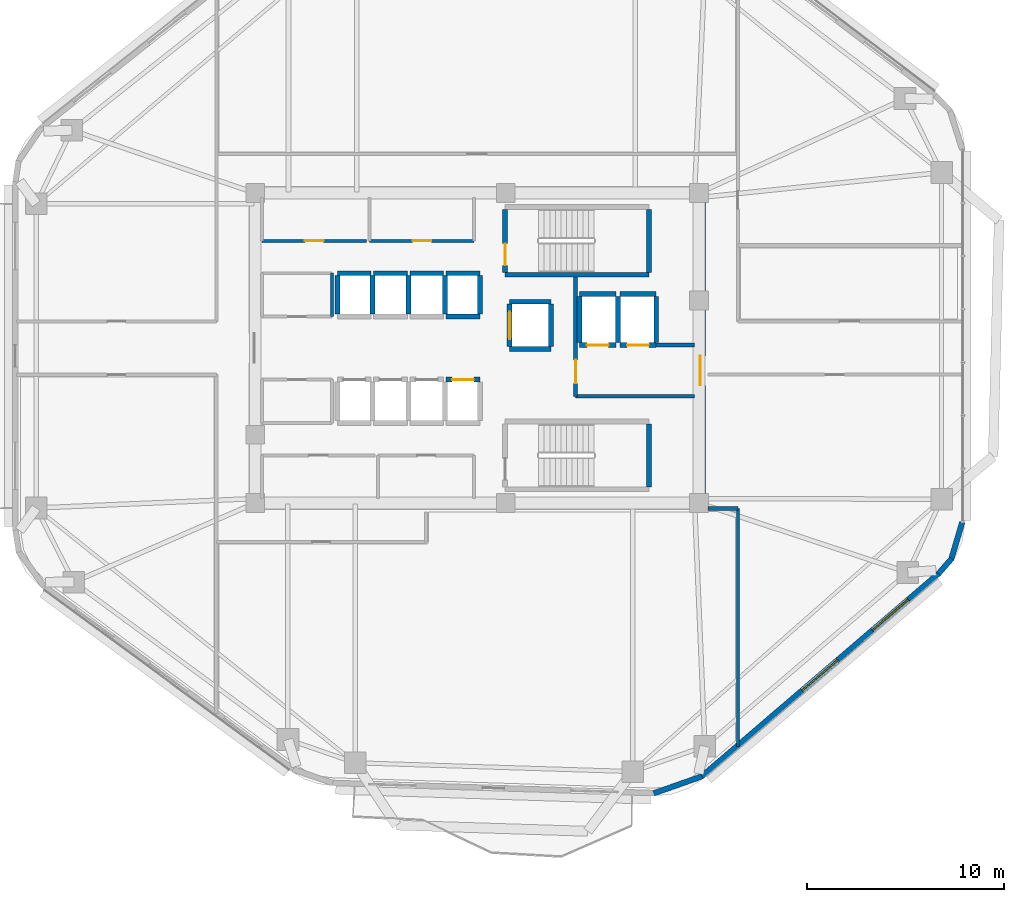
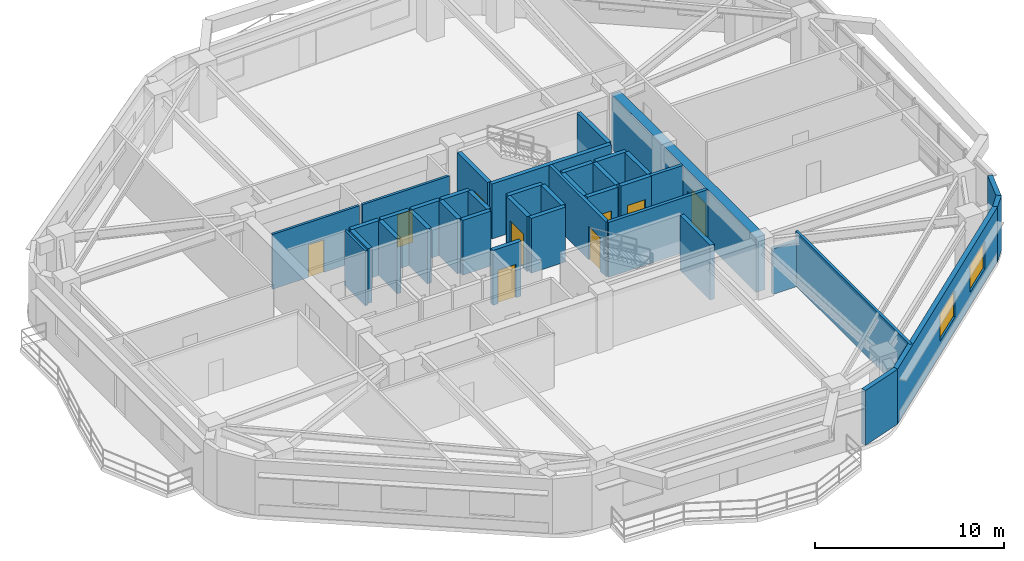
# One storey, part 9 of 13: 39 walls, 9 doors, 2 windows, 11 openings.
"""IFC4 building model written with IfcOpenShell, lengths in metres."""

from ifc_helpers import new_model, si_unit, direction, frame, frame_2d, origin, place, context, subcontext, project, spatial, rectangle, extrude, material, layer, layer_set, type_object, element, fill, save


model = new_model("IFC4")

# Units and contexts
model_context = context("Model", 3, precision=1e-05, world=origin(), true_north=direction((0.0, 1.0)))
body_context = subcontext(model_context, "Body", "Model", "MODEL_VIEW")
ifc_project = project(units=[si_unit("LENGTHUNIT", "METRE"), si_unit("AREAUNIT", "SQUARE_METRE"), si_unit("VOLUMEUNIT", "CUBIC_METRE"), si_unit("PLANEANGLEUNIT", "RADIAN"), si_unit("MASSUNIT", "GRAM", prefix="KILO")], contexts=[model_context])

# Site, building, storey
site_placement = place(None, origin())
site = spatial("IfcSite", under=ifc_project, at=site_placement, CompositionType="ELEMENT")
building_placement = place(site_placement, origin())
building = spatial("IfcBuilding", under=site, at=building_placement, Name="Zulverin Broadcast Headquarters", CompositionType="ELEMENT")
storey_placement = place(building_placement, frame((0.0, 0.0, 155.39990234375)))
storey = spatial("IfcBuildingStorey", under=building, at=storey_placement, Name="L39", CompositionType="ELEMENT", Elevation=155.39990234375)

# Wall
ifc_material_1 = material(Name="Double-stud acoustic drywall", Category="gypsum")
ifc_layer_1 = layer(ifc_material_1, 0.219970703125, Name="Double-stud acoustic drywall", Category="gypsum")
ifc_layer_set_1 = layer_set([ifc_layer_1], Name="Double-stud acoustic drywall")
wall_type_1 = type_object("IfcWallType", Name="WL-ACOU-220", PredefinedType="PARTITIONING", material=ifc_layer_set_1)
wall_1_placement = place(storey_placement, frame((48.739990234375, 17.050048828125, 0.0), z_axis=(0.0, 0.0, 1.0), x_axis=(1.0, 0.0, 0.0)))
element("IfcWall", 1, at=wall_1_placement, inside=storey, type_object=wall_type_1, Name="L39 Room Partition Wall RP-07", PredefinedType="PARTITIONING", context=body_context, shape_type="SweptSolid", body=[
    extrude(rectangle(XDim=1.510009765625, YDim=0.219970703125, at=frame_2d((0.7548828125, 0.0))), origin(), (0.0, 0.0, 1.0), 2.9228515625),
])

# Wall, opening, door
ifc_material_2 = material(Name="Concrete C60/75", Category="concrete")
ifc_layer_2 = layer(ifc_material_2, 0.550048828125, Name="Concrete C60/75", Category="concrete")
ifc_layer_set_2 = layer_set([ifc_layer_2], Name="Concrete C60/75")
wall_type_2 = type_object("IfcWallType", Name="WL-CORE-550", PredefinedType="SHEAR", material=ifc_layer_set_2)
wall_2_placement = place(storey_placement, frame((48.324951171875, 17.550048828125, 0.0), z_axis=(0.0, 0.0, 1.0), x_axis=(0.0, 1.0, 0.0)))
wall_2 = element("IfcWall", 2, at=wall_2_placement, inside=storey, type_object=wall_type_2, Name="L39 Core East Shear Wall", PredefinedType="SHEAR", context=body_context, shape_type="SweptSolid", body=[
    extrude(rectangle(XDim=15.300048828125, YDim=0.550048828125, at=frame_2d((7.64990234375, 0.0))), origin(), (0.0, 0.0, 1.0), 3.5400390625),
])
opening_1_placement = place(wall_2_placement, frame((5.75, 0.0, 0.0)))
opening_1 = element("IfcOpeningElement", 3, at=opening_1_placement, cuts=wall_2, Name="Opening D-L39-CE1", PredefinedType="OPENING", context=body_context, shape_type="SweptSolid", body=[
    extrude(rectangle(XDim=1.5, YDim=2.14990234375, at=frame_2d((0.75, 1.074951171875))), frame((0.0, 0.284912109375, 0.0), z_axis=(0.0, -1.0, 0.0), x_axis=(1.0, 0.0, 0.0)), (0.0, 0.0, 1.0), 0.570068359375),
])
ifc_material_3 = material(Name="Fire-rated glazed steel frame", Category="steel")
door_type_1 = type_object("IfcDoorType", Name="DR-COR-1500", OperationType="DOUBLE_DOOR_SINGLE_SWING", PredefinedType="DOOR", material=ifc_material_3)
door_1_placement = place(opening_1_placement, origin())
door_1 = element("IfcDoor", 4, at=door_1_placement, inside=storey, type_object=door_type_1, Name="L39 Firefighting Lobby East Corridor Door", OperationType="DOUBLE_DOOR_SINGLE_SWING", OverallHeight=2.14990234375, OverallWidth=1.5, PredefinedType="DOOR", context=body_context, shape_type="SweptSolid", body=[
    extrude(rectangle(XDim=1.5, YDim=2.14990234375, at=frame_2d((0.75, 1.074951171875))), frame((0.0, 0.02490234375, 0.0), z_axis=(0.0, -1.0, 0.0), x_axis=(1.0, 0.0, 0.0)), (0.0, 0.0, 1.0), 0.050048828125),
])
fill(opening_1, door_1)

# Wall, openings, windows
ifc_material_4 = material(Name="Insulated pale-metal clad concrete spandrel C40/50", Category="concrete")
ifc_layer_3 = layer(ifc_material_4, 0.280029296875, Name="Insulated pale-metal clad concrete spandrel C40/50", Category="concrete")
ifc_layer_set_3 = layer_set([ifc_layer_3], Name="Insulated pale-metal clad concrete spandrel C40/50")
wall_type_3 = type_object("IfcWallType", Name="WL-EXT-280", PredefinedType="STANDARD", material=ifc_layer_set_3)
wall_3_placement = place(storey_placement, frame((48.38525390625, 3.413818359375, 0.0), z_axis=(0.0, 0.0, 1.0), x_axis=(0.759700260779, 0.650273414628, 0.0)))
wall_3 = element("IfcWall", 5, at=wall_3_placement, inside=storey, type_object=wall_type_3, Name="L39 Pale-Metal Clad Spandrel Wall 2", PredefinedType="STANDARD", context=body_context, shape_type="SweptSolid", body=[
    extrude(rectangle(XDim=15.880859375, YDim=0.280029296875, at=frame_2d((7.9404296875, 0.0))), origin(), (0.0, 0.0, 1.0), 3.5400390625),
])
opening_2_placement = place(wall_3_placement, frame((6.740478515625, 0.0, 0.89990234375)))
opening_2 = element("IfcOpeningElement", 6, at=opening_2_placement, cuts=wall_3, Name="Opening W-L39-E21", PredefinedType="OPENING", context=body_context, shape_type="SweptSolid", body=[
    extrude(rectangle(XDim=2.39990234375, YDim=1.75, at=frame_2d((1.199951171875, 0.875))), frame((0.0, 0.14990234375, 0.0), z_axis=(0.0, -1.0, 0.0), x_axis=(1.0, 0.0, 0.0)), (0.0, 0.0, 1.0), 0.300048828125),
])
opening_3_placement = place(wall_3_placement, frame((11.45068359375, 0.0, 0.89990234375)))
opening_3 = element("IfcOpeningElement", 7, at=opening_3_placement, cuts=wall_3, Name="Opening W-L39-E22", PredefinedType="OPENING", context=body_context, shape_type="SweptSolid", body=[
    extrude(rectangle(XDim=2.39990234375, YDim=1.75, at=frame_2d((1.199951171875, 0.875))), frame((0.0, 0.14990234375, 0.0), z_axis=(0.0, -1.0, 0.0), x_axis=(1.0, 0.0, 0.0)), (0.0, 0.0, 1.0), 0.300048828125),
])
ifc_material_5 = material(Name="Pale anodized aluminium frame with solar-control low-E double glazing", Category="aluminium")
window_type = type_object("IfcWindowType", Name="WIN-RIB-2400", PartitioningType="SINGLE_PANEL", PredefinedType="WINDOW", material=ifc_material_5)
window_1_placement = place(opening_2_placement, origin())
window_1 = element("IfcWindow", 8, at=window_1_placement, inside=storey, type_object=window_type, Name="L39 Ribbon Glazing Window 2 1", OverallHeight=1.75, OverallWidth=2.39990234375, PartitioningType="SINGLE_PANEL", PredefinedType="WINDOW", context=body_context, shape_type="SweptSolid", body=[
    extrude(rectangle(XDim=2.39990234375, YDim=1.75, at=frame_2d((1.199951171875, 0.875))), frame((0.0, 0.030029296875, 0.0), z_axis=(0.0, -1.0, 0.0), x_axis=(1.0, 0.0, 0.0)), (0.0, 0.0, 1.0), 0.06005859375),
])
fill(opening_2, window_1)
window_2_placement = place(opening_3_placement, origin())
window_2 = element("IfcWindow", 9, at=window_2_placement, inside=storey, type_object=window_type, Name="L39 Ribbon Glazing Window 2 2", OverallHeight=1.75, OverallWidth=2.39990234375, PartitioningType="SINGLE_PANEL", PredefinedType="WINDOW", context=body_context, shape_type="SweptSolid", body=[
    extrude(rectangle(XDim=2.39990234375, YDim=1.75, at=frame_2d((1.199951171875, 0.875))), frame((0.0, 0.030029296875, 0.0), z_axis=(0.0, -1.0, 0.0), x_axis=(1.0, 0.0, 0.0)), (0.0, 0.0, 1.0), 0.06005859375),
])
fill(opening_3, window_2)

# Walls
wall_4_placement = place(storey_placement, frame((45.974609375, 2.576416015625, 0.0), z_axis=(0.0, 0.0, 1.0), x_axis=(0.943377643365, 0.331720698781, 0.0)))
element("IfcWall", 10, at=wall_4_placement, inside=storey, type_object=wall_type_3, Name="L39 Wind-Shaped Corner Spandrel Wall 1-1", PredefinedType="STANDARD", context=body_context, shape_type="SweptSolid", body=[
    extrude(rectangle(XDim=2.6025390625, YDim=0.280029296875, at=frame_2d((1.30126953125, 0.0))), origin(), (0.0, 0.0, 1.0), 3.5400390625),
])
wall_5_placement = place(storey_placement, frame((60.435791015625, 13.7265625, 0.0), z_axis=(0.0, 0.0, 1.0), x_axis=(0.658571618609, 0.752518055041, 0.0)))
element("IfcWall", 11, at=wall_5_placement, inside=storey, type_object=wall_type_3, Name="L39 Wind-Shaped Corner Spandrel Wall 2-1", PredefinedType="STANDARD", context=body_context, shape_type="SweptSolid", body=[
    extrude(rectangle(XDim=1.03173828125, YDim=0.280029296875, at=frame_2d((0.515869140625, 0.0))), origin(), (0.0, 0.0, 1.0), 3.5400390625),
])
wall_6_placement = place(storey_placement, frame((61.08642578125, 14.450439453125, 0.0), z_axis=(0.0, 0.0, 1.0), x_axis=(0.283596460917, 0.958943714383, 0.0)))
element("IfcWall", 12, at=wall_6_placement, inside=storey, type_object=wall_type_3, Name="L39 Wind-Shaped Corner Spandrel Wall 2-2", PredefinedType="STANDARD", context=body_context, shape_type="SweptSolid", body=[
    extrude(rectangle(XDim=1.9775390625, YDim=0.280029296875, at=frame_2d((0.98876953125, 0.0))), origin(), (0.0, 0.0, 1.0), 3.5400390625),
])

# Wall, opening, door
ifc_material_6 = material(Name="Concrete C40/50", Category="concrete")
ifc_layer_4 = layer(ifc_material_6, 0.199951171875, Name="Concrete C40/50", Category="concrete")
ifc_layer_set_4 = layer_set([ifc_layer_4], Name="Concrete C40/50")
wall_type_4 = type_object("IfcWallType", Name="WL-FFL-200", PredefinedType="SOLIDWALL", material=ifc_layer_set_4)
wall_7_placement = place(storey_placement, frame((42.0, 22.75, 0.0), z_axis=(0.0, 0.0, 1.0), x_axis=(0.0, 1.0, 0.0)))
wall_7 = element("IfcWall", 13, at=wall_7_placement, inside=storey, type_object=wall_type_4, Name="L39 Firefighting Lift Lobby West Wall", PredefinedType="SOLIDWALL", context=body_context, shape_type="SweptSolid", body=[
    extrude(rectangle(XDim=6.050048828125, YDim=0.199951171875, at=frame_2d((3.02490234375, 0.0))), origin(), (0.0, 0.0, 1.0), 3.5400390625),
])
opening_4_placement = place(wall_7_placement, frame((0.64990234375, 0.0, 0.0)))
opening_4 = element("IfcOpeningElement", 14, at=opening_4_placement, cuts=wall_7, Name="Opening D-L39-FFLW", PredefinedType="OPENING", context=body_context, shape_type="SweptSolid", body=[
    extrude(rectangle(XDim=1.199951171875, YDim=2.14990234375, at=frame_2d((0.60009765625, 1.074951171875))), frame((0.0, 0.10986328125, 0.0), z_axis=(0.0, -1.0, 0.0), x_axis=(1.0, 0.0, 0.0)), (0.0, 0.0, 1.0), 0.219970703125),
])
ifc_material_7 = material(Name="Fire-rated steel leaf and frame", Category="steel")
door_type_2 = type_object("IfcDoorType", Name="DR-FFL-1200", OperationType="SINGLE_SWING_RIGHT", PredefinedType="DOOR", material=ifc_material_7)
door_2_placement = place(opening_4_placement, origin())
door_2 = element("IfcDoor", 15, at=door_2_placement, inside=storey, type_object=door_type_2, Name="L39 Firefighting Lift Lobby Door", OperationType="SINGLE_SWING_RIGHT", OverallHeight=2.14990234375, OverallWidth=1.199951171875, PredefinedType="DOOR", context=body_context, shape_type="SweptSolid", body=[
    extrude(rectangle(XDim=1.199951171875, YDim=2.14990234375, at=frame_2d((0.60009765625, 1.074951171875))), frame((0.0, 0.02490234375, 0.0), z_axis=(0.0, -1.0, 0.0), x_axis=(1.0, 0.0, 0.0)), (0.0, 0.0, 1.0), 0.050048828125),
])
fill(opening_4, door_2)

# Walls
wall_8_placement = place(storey_placement, frame((42.0, 22.75, 0.0), z_axis=(0.0, 0.0, 1.0), x_axis=(1.0, 0.0, 0.0)))
element("IfcWall", 16, at=wall_8_placement, inside=storey, type_object=wall_type_4, Name="L39 Firefighting Lift Lobby South Wall", PredefinedType="SOLIDWALL", context=body_context, shape_type="SweptSolid", body=[
    extrude(rectangle(XDim=6.050048828125, YDim=0.199951171875, at=frame_2d((3.02490234375, 0.0))), origin(), (0.0, 0.0, 1.0), 3.5400390625),
])
wall_9_placement = place(storey_placement, frame((46.10009765625, 25.35009765625, 0.0), z_axis=(0.0, 0.0, 1.0), x_axis=(1.0, 0.0, 0.0)))
element("IfcWall", 17, at=wall_9_placement, inside=storey, type_object=wall_type_4, Name="L39 Firefighting Lift Lobby North Wall", PredefinedType="SOLIDWALL", context=body_context, shape_type="SweptSolid", body=[
    extrude(rectangle(XDim=1.949951171875, YDim=0.199951171875, at=frame_2d((0.97509765625, 0.0))), origin(), (0.0, 0.0, 1.0), 3.5400390625),
])

# Wall, opening, door
ifc_material_8 = material(Name="Fire-rated gypsum stud partition", Category="gypsum")
ifc_layer_5 = layer(ifc_material_8, 0.14990234375, Name="Fire-rated gypsum stud partition", Category="gypsum")
ifc_layer_set_5 = layer_set([ifc_layer_5], Name="Fire-rated gypsum stud partition")
wall_type_5 = type_object("IfcWallType", Name="WL-PART-150", PredefinedType="PARTITIONING", material=ifc_layer_set_5)
wall_10_placement = place(storey_placement, frame((26.070068359375, 30.64990234375, 0.0), z_axis=(0.0, 0.0, 1.0), x_axis=(1.0, 0.0, 0.0)))
wall_10 = element("IfcWall", 18, at=wall_10_placement, inside=storey, type_object=wall_type_5, Name="L39 Core Male WC Front Wall", PredefinedType="PARTITIONING", context=body_context, shape_type="SweptSolid", body=[
    extrude(rectangle(XDim=5.309814453125, YDim=0.14990234375, at=frame_2d((2.65478515625, 0.0))), origin(), (0.0, 0.0, 1.0), 3.5400390625),
])
opening_5_placement = place(wall_10_placement, frame((2.179931640625, 0.0, 0.0)))
opening_5 = element("IfcOpeningElement", 19, at=opening_5_placement, cuts=wall_10, Name="Opening D-L39-NC1", PredefinedType="OPENING", context=body_context, shape_type="SweptSolid", body=[
    extrude(rectangle(XDim=0.949951171875, YDim=2.10009765625, at=frame_2d((0.47509765625, 1.050048828125))), frame((0.0, 0.0849609375, 0.0), z_axis=(0.0, -1.0, 0.0), x_axis=(1.0, 0.0, 0.0)), (0.0, 0.0, 1.0), 0.169921875),
])
ifc_material_9 = material(Name="Fire-rated moisture-resistant laminate leaf", Category="wood")
door_type_3 = type_object("IfcDoorType", Name="DR-WC-950", OperationType="SINGLE_SWING_LEFT", PredefinedType="DOOR", material=ifc_material_9)
door_3_placement = place(opening_5_placement, origin())
door_3 = element("IfcDoor", 20, at=door_3_placement, inside=storey, type_object=door_type_3, Name="L39 Male WC Door", OperationType="SINGLE_SWING_LEFT", OverallHeight=2.10009765625, OverallWidth=0.949951171875, PredefinedType="DOOR", context=body_context, shape_type="SweptSolid", body=[
    extrude(rectangle(XDim=0.949951171875, YDim=2.10009765625, at=frame_2d((0.47509765625, 1.050048828125))), frame((0.0, 0.02490234375, 0.0), z_axis=(0.0, -1.0, 0.0), x_axis=(1.0, 0.0, 0.0)), (0.0, 0.0, 1.0), 0.050048828125),
])
fill(opening_5, door_3)

wall_11_placement = place(storey_placement, frame((31.5400390625, 30.64990234375, 0.0), z_axis=(0.0, 0.0, 1.0), x_axis=(1.0, 0.0, 0.0)))
wall_11 = element("IfcWall", 21, at=wall_11_placement, inside=storey, type_object=wall_type_5, Name="L39 Core Accessible WC Front Wall", PredefinedType="PARTITIONING", context=body_context, shape_type="SweptSolid", body=[
    extrude(rectangle(XDim=5.31005859375, YDim=0.14990234375, at=frame_2d((2.655029296875, 0.0))), origin(), (0.0, 0.0, 1.0), 3.5400390625),
])
opening_6_placement = place(wall_11_placement, frame((2.179931640625, 0.0, 0.0)))
opening_6 = element("IfcOpeningElement", 22, at=opening_6_placement, cuts=wall_11, Name="Opening D-L39-NC2", PredefinedType="OPENING", context=body_context, shape_type="SweptSolid", body=[
    extrude(rectangle(XDim=0.949951171875, YDim=2.10009765625, at=frame_2d((0.47509765625, 1.050048828125))), frame((0.0, 0.0849609375, 0.0), z_axis=(0.0, -1.0, 0.0), x_axis=(1.0, 0.0, 0.0)), (0.0, 0.0, 1.0), 0.169921875),
])
door_4_placement = place(opening_6_placement, origin())
door_4 = element("IfcDoor", 23, at=door_4_placement, inside=storey, type_object=door_type_3, Name="L39 Accessible WC Door", OperationType="SINGLE_SWING_RIGHT", OverallHeight=2.10009765625, OverallWidth=0.949951171875, PredefinedType="DOOR", context=body_context, shape_type="SweptSolid", body=[
    extrude(rectangle(XDim=0.949951171875, YDim=2.10009765625, at=frame_2d((0.47509765625, 1.050048828125))), frame((0.0, 0.02490234375, 0.0), z_axis=(0.0, -1.0, 0.0), x_axis=(1.0, 0.0, 0.0)), (0.0, 0.0, 1.0), 0.050048828125),
])
fill(opening_6, door_4)

# Walls
wall_12_placement = place(storey_placement, frame((29.6201171875, 26.800048828125, 0.0), z_axis=(0.0, 0.0, 1.0), x_axis=(0.0, 1.0, 0.0)))
element("IfcWall", 24, at=wall_12_placement, inside=storey, type_object=wall_type_5, Name="L39 Broadcast Signal Patch Room E Wall", PredefinedType="PARTITIONING", context=body_context, shape_type="SweptSolid", body=[
    extrude(rectangle(XDim=2.199951171875, YDim=0.14990234375, at=frame_2d((1.10009765625, 0.0))), origin(), (0.0, 0.0, 1.0), 3.5400390625),
])
wall_13_placement = place(storey_placement, frame((50.25, 4.9658203125, 0.0), z_axis=(0.0, 0.0, 1.0), x_axis=(0.0, 1.0, 0.0)))
element("IfcWall", 25, at=wall_13_placement, inside=storey, type_object=wall_type_5, Name="L39 Room Partition Wall RP-01", PredefinedType="PARTITIONING", context=body_context, shape_type="SweptSolid", body=[
    extrude(rectangle(XDim=12.084228515625, YDim=0.14990234375, at=frame_2d((6.0419921875, 0.0))), origin(), (0.0, 0.0, 1.0), 3.5400390625),
])
ifc_material_10 = material(Name="Concrete C50/60", Category="concrete")
ifc_layer_6 = layer(ifc_material_10, 0.25, Name="Concrete C50/60", Category="concrete")
ifc_layer_set_6 = layer_set([ifc_layer_6], Name="Concrete C50/60")
wall_type_6 = type_object("IfcWallType", Name="WL-SHAFT-250", PredefinedType="SHEAR", material=ifc_layer_set_6)
wall_14_placement = place(storey_placement, frame((38.425048828125, 28.925048828125, 0.0), z_axis=(0.0, 0.0, 1.0), x_axis=(1.0, 0.0, 0.0)))
element("IfcWall", 26, at=wall_14_placement, inside=storey, type_object=wall_type_6, Name="L39 ST-1 Enclosure Wall S", PredefinedType="SHEAR", context=body_context, shape_type="SweptSolid", body=[
    extrude(rectangle(XDim=7.300048828125, YDim=0.25, at=frame_2d((3.64990234375, 0.0))), origin(), (0.0, 0.0, 1.0), 3.5400390625),
])

# Wall, opening, door
wall_15_placement = place(storey_placement, frame((38.425048828125, 29.050048828125, 0.0), z_axis=(0.0, 0.0, 1.0), x_axis=(0.0, 1.0, 0.0)))
wall_15 = element("IfcWall", 27, at=wall_15_placement, inside=storey, type_object=wall_type_6, Name="L39 ST-1 Enclosure Wall W", PredefinedType="SHEAR", context=body_context, shape_type="SweptSolid", body=[
    extrude(rectangle(XDim=3.199951171875, YDim=0.25, at=frame_2d((1.60009765625, 0.0))), origin(), (0.0, 0.0, 1.0), 3.5400390625),
])
opening_7_placement = place(wall_15_placement, frame((0.35009765625, 0.0, 0.0)))
opening_7 = element("IfcOpeningElement", 28, at=opening_7_placement, cuts=wall_15, Name="Opening D-L39-ST-1", PredefinedType="OPENING", context=body_context, shape_type="SweptSolid", body=[
    extrude(rectangle(XDim=1.10009765625, YDim=2.14990234375, at=frame_2d((0.550048828125, 1.074951171875))), frame((0.0, 0.135009765625, 0.0), z_axis=(0.0, -1.0, 0.0), x_axis=(1.0, 0.0, 0.0)), (0.0, 0.0, 1.0), 0.27001953125),
])
door_type_4 = type_object("IfcDoorType", Name="DR-STAIR-1100", OperationType="SINGLE_SWING_LEFT", PredefinedType="DOOR", material=ifc_material_7)
door_5_placement = place(opening_7_placement, origin())
door_5 = element("IfcDoor", 29, at=door_5_placement, inside=storey, type_object=door_type_4, Name="L39 Exit Stair ST-1 Fire Door", OperationType="SINGLE_SWING_LEFT", OverallHeight=2.14990234375, OverallWidth=1.10009765625, PredefinedType="DOOR", context=body_context, shape_type="SweptSolid", body=[
    extrude(rectangle(XDim=1.10009765625, YDim=2.14990234375, at=frame_2d((0.550048828125, 1.074951171875))), frame((0.0, 0.02490234375, 0.0), z_axis=(0.0, -1.0, 0.0), x_axis=(1.0, 0.0, 0.0)), (0.0, 0.0, 1.0), 0.050048828125),
])
fill(opening_7, door_5)

# Walls
wall_16_placement = place(storey_placement, frame((45.72509765625, 29.050048828125, 0.0), z_axis=(0.0, 0.0, 1.0), x_axis=(0.0, 1.0, 0.0)))
element("IfcWall", 30, at=wall_16_placement, inside=storey, type_object=wall_type_6, Name="L39 ST-1 Enclosure Wall E", PredefinedType="SHEAR", context=body_context, shape_type="SweptSolid", body=[
    extrude(rectangle(XDim=3.199951171875, YDim=0.25, at=frame_2d((1.60009765625, 0.0))), origin(), (0.0, 0.0, 1.0), 3.5400390625),
])
wall_17_placement = place(storey_placement, frame((45.72509765625, 18.14990234375, 0.0), z_axis=(0.0, 0.0, 1.0), x_axis=(0.0, 1.0, 0.0)))
element("IfcWall", 31, at=wall_17_placement, inside=storey, type_object=wall_type_6, Name="L39 ST-2 Enclosure Wall E", PredefinedType="SHEAR", context=body_context, shape_type="SweptSolid", body=[
    extrude(rectangle(XDim=3.2001953125, YDim=0.25, at=frame_2d((1.60009765625, 0.0))), origin(), (0.0, 0.0, 1.0), 3.5400390625),
])

# Wall, opening, door
wall_18_placement = place(storey_placement, frame((35.419921875, 23.60009765625, 0.0), z_axis=(0.0, 0.0, 1.0), x_axis=(1.0, 0.0, 0.0)))
wall_18 = element("IfcWall", 32, at=wall_18_placement, inside=storey, type_object=wall_type_6, Name="L39 Lift PL-M4 Shaft Wall N", PredefinedType="SHEAR", context=body_context, shape_type="SweptSolid", body=[
    extrude(rectangle(XDim=1.719970703125, YDim=0.25, at=frame_2d((0.85986328125, 0.0))), origin(), (0.0, 0.0, 1.0), 3.5400390625),
])
opening_8_placement = place(wall_18_placement, frame((0.31005859375, 0.0, 0.0)))
opening_8 = element("IfcOpeningElement", 33, at=opening_8_placement, cuts=wall_18, Name="Opening LD-PL-M4-L39", PredefinedType="OPENING", context=body_context, shape_type="SweptSolid", body=[
    extrude(rectangle(XDim=1.10009765625, YDim=2.14990234375, at=frame_2d((0.550048828125, 1.074951171875))), frame((0.0, 0.135009765625, 0.0), z_axis=(0.0, -1.0, 0.0), x_axis=(1.0, 0.0, 0.0)), (0.0, 0.0, 1.0), 0.27001953125),
])
ifc_material_11 = material(Name="Brushed stainless steel landing", Category="steel")
door_type_5 = type_object("IfcDoorType", Name="LD-PASS-1100", OperationType="DOUBLE_DOOR_SLIDING", PredefinedType="DOOR", material=ifc_material_11)
door_6_placement = place(opening_8_placement, origin())
door_6 = element("IfcDoor", 34, at=door_6_placement, inside=storey, type_object=door_type_5, Name="L39 Lift PL-M4 Sliding Landing Door", OperationType="DOUBLE_DOOR_SLIDING", OverallHeight=2.14990234375, OverallWidth=1.10009765625, PredefinedType="DOOR", context=body_context, shape_type="SweptSolid", body=[
    extrude(rectangle(XDim=1.10009765625, YDim=2.14990234375, at=frame_2d((0.550048828125, 1.074951171875))), frame((0.0, 0.02490234375, 0.0), z_axis=(0.0, -1.0, 0.0), x_axis=(1.0, 0.0, 0.0)), (0.0, 0.0, 1.0), 0.050048828125),
])
fill(opening_8, door_6)

# Walls
wall_19_placement = place(storey_placement, frame((29.89990234375, 29.0, 0.0), z_axis=(0.0, 0.0, 1.0), x_axis=(1.0, 0.0, 0.0)))
element("IfcWall", 35, at=wall_19_placement, inside=storey, type_object=wall_type_6, Name="L39 Lift PL-H1 Shaft Wall N", PredefinedType="SHEAR", context=body_context, shape_type="SweptSolid", body=[
    extrude(rectangle(XDim=1.72021484375, YDim=0.25, at=frame_2d((0.860107421875, 0.0))), origin(), (0.0, 0.0, 1.0), 3.5400390625),
])
for number, where, z_axis, x_axis, name in (
    (36, (29.89990234375, 26.919921875, 0.0), (0.0, 0.0, 1.0), (0.0, 1.0, 0.0), "L39 Lift PL-H1 Shaft Wall W"),
    (37, (31.679931640625, 26.919921875, 0.0), (0.0, 0.0, 1.0), (0.0, 1.0, 0.0), "L39 Lift PL-H1 Shaft Wall E"),
):
    element("IfcWall", number, at=place(storey_placement, frame(where, z_axis=z_axis, x_axis=x_axis)), inside=storey, type_object=wall_type_6, Name=name, PredefinedType="SHEAR", context=body_context, shape_type="SweptSolid", body=[
        extrude(rectangle(XDim=1.9599609375, YDim=0.25, at=frame_2d((0.97998046875, 0.0))), origin(), (0.0, 0.0, 1.0), 3.5400390625),
    ])
wall_20_placement = place(storey_placement, frame((31.739990234375, 29.0, 0.0), z_axis=(0.0, 0.0, 1.0), x_axis=(1.0, 0.0, 0.0)))
element("IfcWall", 38, at=wall_20_placement, inside=storey, type_object=wall_type_6, Name="L39 Lift PL-H2 Shaft Wall N", PredefinedType="SHEAR", context=body_context, shape_type="SweptSolid", body=[
    extrude(rectangle(XDim=1.719970703125, YDim=0.25, at=frame_2d((0.85986328125, 0.0))), origin(), (0.0, 0.0, 1.0), 3.5400390625),
])
wall_21_placement = place(storey_placement, frame((33.52001953125, 26.919921875, 0.0), z_axis=(0.0, 0.0, 1.0), x_axis=(0.0, 1.0, 0.0)))
element("IfcWall", 39, at=wall_21_placement, inside=storey, type_object=wall_type_6, Name="L39 Lift PL-H2 Shaft Wall E", PredefinedType="SHEAR", context=body_context, shape_type="SweptSolid", body=[
    extrude(rectangle(XDim=1.9599609375, YDim=0.25, at=frame_2d((0.97998046875, 0.0))), origin(), (0.0, 0.0, 1.0), 3.5400390625),
])
wall_22_placement = place(storey_placement, frame((33.580078125, 29.0, 0.0), z_axis=(0.0, 0.0, 1.0), x_axis=(1.0, 0.0, 0.0)))
element("IfcWall", 40, at=wall_22_placement, inside=storey, type_object=wall_type_6, Name="L39 Lift PL-H3 Shaft Wall N", PredefinedType="SHEAR", context=body_context, shape_type="SweptSolid", body=[
    extrude(rectangle(XDim=1.719970703125, YDim=0.25, at=frame_2d((0.85986328125, 0.0))), origin(), (0.0, 0.0, 1.0), 3.5400390625),
])
wall_23_placement = place(storey_placement, frame((35.360107421875, 26.919921875, 0.0), z_axis=(0.0, 0.0, 1.0), x_axis=(0.0, 1.0, 0.0)))
element("IfcWall", 41, at=wall_23_placement, inside=storey, type_object=wall_type_6, Name="L39 Lift PL-H3 Shaft Wall E", PredefinedType="SHEAR", context=body_context, shape_type="SweptSolid", body=[
    extrude(rectangle(XDim=1.9599609375, YDim=0.25, at=frame_2d((0.97998046875, 0.0))), origin(), (0.0, 0.0, 1.0), 3.5400390625),
])
for number, where, z_axis, x_axis, name in (
    (42, (35.419921875, 26.800048828125, 0.0), (0.0, 0.0, 1.0), (1.0, 0.0, 0.0), "L39 Lift PL-H4 Shaft Wall S"),
    (43, (35.419921875, 29.0, 0.0), (0.0, 0.0, 1.0), (1.0, 0.0, 0.0), "L39 Lift PL-H4 Shaft Wall N"),
):
    element("IfcWall", number, at=place(storey_placement, frame(where, z_axis=z_axis, x_axis=x_axis)), inside=storey, type_object=wall_type_6, Name=name, PredefinedType="SHEAR", context=body_context, shape_type="SweptSolid", body=[
        extrude(rectangle(XDim=1.719970703125, YDim=0.25, at=frame_2d((0.85986328125, 0.0))), origin(), (0.0, 0.0, 1.0), 3.5400390625),
    ])
wall_24_placement = place(storey_placement, frame((37.139892578125, 26.919921875, 0.0), z_axis=(0.0, 0.0, 1.0), x_axis=(0.0, 1.0, 0.0)))
element("IfcWall", 44, at=wall_24_placement, inside=storey, type_object=wall_type_6, Name="L39 Lift PL-H4 Shaft Wall E", PredefinedType="SHEAR", context=body_context, shape_type="SweptSolid", body=[
    extrude(rectangle(XDim=1.9599609375, YDim=0.25, at=frame_2d((0.97998046875, 0.0))), origin(), (0.0, 0.0, 1.0), 3.5400390625),
])

# Wall, opening, door
wall_25_placement = place(storey_placement, frame((42.199951171875, 25.35009765625, 0.0), z_axis=(0.0, 0.0, 1.0), x_axis=(1.0, 0.0, 0.0)))
wall_25 = element("IfcWall", 45, at=wall_25_placement, inside=storey, type_object=wall_type_6, Name="L39 Lift FFL-1 Shaft Wall S", PredefinedType="SHEAR", context=body_context, shape_type="SweptSolid", body=[
    extrude(rectangle(XDim=1.85009765625, YDim=0.25, at=frame_2d((0.925048828125, 0.0))), origin(), (0.0, 0.0, 1.0), 3.5400390625),
])
opening_9_placement = place(wall_25_placement, frame((0.375, 0.0, 0.0)))
opening_9 = element("IfcOpeningElement", 46, at=opening_9_placement, cuts=wall_25, Name="Opening LD-FFL-1-L39", PredefinedType="OPENING", context=body_context, shape_type="SweptSolid", body=[
    extrude(rectangle(XDim=1.10009765625, YDim=2.14990234375, at=frame_2d((0.550048828125, 1.074951171875))), frame((0.0, 0.135009765625, 0.0), z_axis=(0.0, -1.0, 0.0), x_axis=(1.0, 0.0, 0.0)), (0.0, 0.0, 1.0), 0.27001953125),
])
ifc_material_12 = material(Name="Fire-rated stainless landing door", Category="steel")
door_type_6 = type_object("IfcDoorType", Name="LD-FFL-1100", OperationType="DOUBLE_DOOR_SLIDING", PredefinedType="DOOR", material=ifc_material_12)
door_7_placement = place(opening_9_placement, origin())
door_7 = element("IfcDoor", 47, at=door_7_placement, inside=storey, type_object=door_type_6, Name="L39 Lift FFL-1 Sliding Landing Door", OperationType="DOUBLE_DOOR_SLIDING", OverallHeight=2.14990234375, OverallWidth=1.10009765625, PredefinedType="DOOR", context=body_context, shape_type="SweptSolid", body=[
    extrude(rectangle(XDim=1.10009765625, YDim=2.14990234375, at=frame_2d((0.550048828125, 1.074951171875))), frame((0.0, 0.02490234375, 0.0), z_axis=(0.0, -1.0, 0.0), x_axis=(1.0, 0.0, 0.0)), (0.0, 0.0, 1.0), 0.050048828125),
])
fill(opening_9, door_7)

# Walls
wall_26_placement = place(storey_placement, frame((42.199951171875, 27.949951171875, 0.0), z_axis=(0.0, 0.0, 1.0), x_axis=(1.0, 0.0, 0.0)))
element("IfcWall", 48, at=wall_26_placement, inside=storey, type_object=wall_type_6, Name="L39 Lift FFL-1 Shaft Wall N", PredefinedType="SHEAR", context=body_context, shape_type="SweptSolid", body=[
    extrude(rectangle(XDim=1.85009765625, YDim=0.25, at=frame_2d((0.925048828125, 0.0))), origin(), (0.0, 0.0, 1.0), 3.5400390625),
])
for number, where, z_axis, x_axis, name in (
    (49, (42.199951171875, 25.469970703125, 0.0), (0.0, 0.0, 1.0), (0.0, 1.0, 0.0), "L39 Lift FFL-1 Shaft Wall W"),
    (50, (44.14990234375, 25.469970703125, 0.0), (0.0, 0.0, 1.0), (0.0, 1.0, 0.0), "L39 Lift FFL-1 Shaft Wall E"),
):
    element("IfcWall", number, at=place(storey_placement, frame(where, z_axis=z_axis, x_axis=x_axis)), inside=storey, type_object=wall_type_6, Name=name, PredefinedType="SHEAR", context=body_context, shape_type="SweptSolid", body=[
        extrude(rectangle(XDim=2.360107421875, YDim=0.25, at=frame_2d((1.18017578125, 0.0))), origin(), (0.0, 0.0, 1.0), 3.5400390625),
    ])

# Wall, opening, door
wall_27_placement = place(storey_placement, frame((44.25, 25.35009765625, 0.0), z_axis=(0.0, 0.0, 1.0), x_axis=(1.0, 0.0, 0.0)))
wall_27 = element("IfcWall", 51, at=wall_27_placement, inside=storey, type_object=wall_type_6, Name="L39 Lift FFL-2 Shaft Wall S", PredefinedType="SHEAR", context=body_context, shape_type="SweptSolid", body=[
    extrude(rectangle(XDim=1.85009765625, YDim=0.25, at=frame_2d((0.925048828125, 0.0))), origin(), (0.0, 0.0, 1.0), 3.5400390625),
])
opening_10_placement = place(wall_27_placement, frame((0.375, 0.0, 0.0)))
opening_10 = element("IfcOpeningElement", 52, at=opening_10_placement, cuts=wall_27, Name="Opening LD-FFL-2-L39", PredefinedType="OPENING", context=body_context, shape_type="SweptSolid", body=[
    extrude(rectangle(XDim=1.10009765625, YDim=2.14990234375, at=frame_2d((0.550048828125, 1.074951171875))), frame((0.0, 0.135009765625, 0.0), z_axis=(0.0, -1.0, 0.0), x_axis=(1.0, 0.0, 0.0)), (0.0, 0.0, 1.0), 0.27001953125),
])
door_8_placement = place(opening_10_placement, origin())
door_8 = element("IfcDoor", 53, at=door_8_placement, inside=storey, type_object=door_type_6, Name="L39 Lift FFL-2 Sliding Landing Door", OperationType="DOUBLE_DOOR_SLIDING", OverallHeight=2.14990234375, OverallWidth=1.10009765625, PredefinedType="DOOR", context=body_context, shape_type="SweptSolid", body=[
    extrude(rectangle(XDim=1.10009765625, YDim=2.14990234375, at=frame_2d((0.550048828125, 1.074951171875))), frame((0.0, 0.02490234375, 0.0), z_axis=(0.0, -1.0, 0.0), x_axis=(1.0, 0.0, 0.0)), (0.0, 0.0, 1.0), 0.050048828125),
])
fill(opening_10, door_8)

# Walls
wall_28_placement = place(storey_placement, frame((44.25, 27.949951171875, 0.0), z_axis=(0.0, 0.0, 1.0), x_axis=(1.0, 0.0, 0.0)))
element("IfcWall", 54, at=wall_28_placement, inside=storey, type_object=wall_type_6, Name="L39 Lift FFL-2 Shaft Wall N", PredefinedType="SHEAR", context=body_context, shape_type="SweptSolid", body=[
    extrude(rectangle(XDim=1.85009765625, YDim=0.25, at=frame_2d((0.925048828125, 0.0))), origin(), (0.0, 0.0, 1.0), 3.5400390625),
])
wall_29_placement = place(storey_placement, frame((46.10009765625, 25.469970703125, 0.0), z_axis=(0.0, 0.0, 1.0), x_axis=(0.0, 1.0, 0.0)))
element("IfcWall", 55, at=wall_29_placement, inside=storey, type_object=wall_type_6, Name="L39 Lift FFL-2 Shaft Wall E", PredefinedType="SHEAR", context=body_context, shape_type="SweptSolid", body=[
    extrude(rectangle(XDim=2.360107421875, YDim=0.25, at=frame_2d((1.18017578125, 0.0))), origin(), (0.0, 0.0, 1.0), 3.5400390625),
])
for number, where, z_axis, x_axis, name in (
    (56, (38.64990234375, 25.14990234375, 0.0), (0.0, 0.0, 1.0), (1.0, 0.0, 0.0), "L39 Lift SVL-1 Shaft Wall S"),
    (57, (38.64990234375, 27.550048828125, 0.0), (0.0, 0.0, 1.0), (1.0, 0.0, 0.0), "L39 Lift SVL-1 Shaft Wall N"),
):
    element("IfcWall", number, at=place(storey_placement, frame(where, z_axis=z_axis, x_axis=x_axis)), inside=storey, type_object=wall_type_6, Name=name, PredefinedType="SHEAR", context=body_context, shape_type="SweptSolid", body=[
        extrude(rectangle(XDim=2.10009765625, YDim=0.25, at=frame_2d((1.050048828125, 0.0))), origin(), (0.0, 0.0, 1.0), 3.5400390625),
    ])

# Wall, opening, door
wall_30_placement = place(storey_placement, frame((38.64990234375, 25.27001953125, 0.0), z_axis=(0.0, 0.0, 1.0), x_axis=(0.0, 1.0, 0.0)))
wall_30 = element("IfcWall", 58, at=wall_30_placement, inside=storey, type_object=wall_type_6, Name="L39 Lift SVL-1 Shaft Wall W", PredefinedType="SHEAR", context=body_context, shape_type="SweptSolid", body=[
    extrude(rectangle(XDim=2.159912109375, YDim=0.25, at=frame_2d((1.080078125, 0.0))), origin(), (0.0, 0.0, 1.0), 3.5400390625),
])
opening_11_placement = place(wall_30_placement, frame((0.3798828125, 0.0, 0.0)))
opening_11 = element("IfcOpeningElement", 59, at=opening_11_placement, cuts=wall_30, Name="Opening LD-SVL-1-L39", PredefinedType="OPENING", context=body_context, shape_type="SweptSolid", body=[
    extrude(rectangle(XDim=1.39990234375, YDim=2.199951171875, at=frame_2d((0.699951171875, 1.10009765625))), frame((0.0, 0.135009765625, 0.0), z_axis=(0.0, -1.0, 0.0), x_axis=(1.0, 0.0, 0.0)), (0.0, 0.0, 1.0), 0.27001953125),
])
ifc_material_13 = material(Name="Heavy-duty stainless landing door", Category="steel")
door_type_7 = type_object("IfcDoorType", Name="LD-GOODS-1400", OperationType="DOUBLE_DOOR_SLIDING", PredefinedType="DOOR", material=ifc_material_13)
door_9_placement = place(opening_11_placement, origin())
door_9 = element("IfcDoor", 60, at=door_9_placement, inside=storey, type_object=door_type_7, Name="L39 Lift SVL-1 Sliding Landing Door", OperationType="DOUBLE_DOOR_SLIDING", OverallHeight=2.199951171875, OverallWidth=1.39990234375, PredefinedType="DOOR", context=body_context, shape_type="SweptSolid", body=[
    extrude(rectangle(XDim=1.39990234375, YDim=2.199951171875, at=frame_2d((0.699951171875, 1.10009765625))), frame((0.0, 0.02490234375, 0.0), z_axis=(0.0, -1.0, 0.0), x_axis=(1.0, 0.0, 0.0)), (0.0, 0.0, 1.0), 0.050048828125),
])
fill(opening_11, door_9)

# Wall
wall_31_placement = place(storey_placement, frame((40.75, 25.27001953125, 0.0), z_axis=(0.0, 0.0, 1.0), x_axis=(0.0, 1.0, 0.0)))
element("IfcWall", 61, at=wall_31_placement, inside=storey, type_object=wall_type_6, Name="L39 Lift SVL-1 Shaft Wall E", PredefinedType="SHEAR", context=body_context, shape_type="SweptSolid", body=[
    extrude(rectangle(XDim=2.159912109375, YDim=0.25, at=frame_2d((1.080078125, 0.0))), origin(), (0.0, 0.0, 1.0), 3.5400390625),
])

save(model, "model.ifc")
